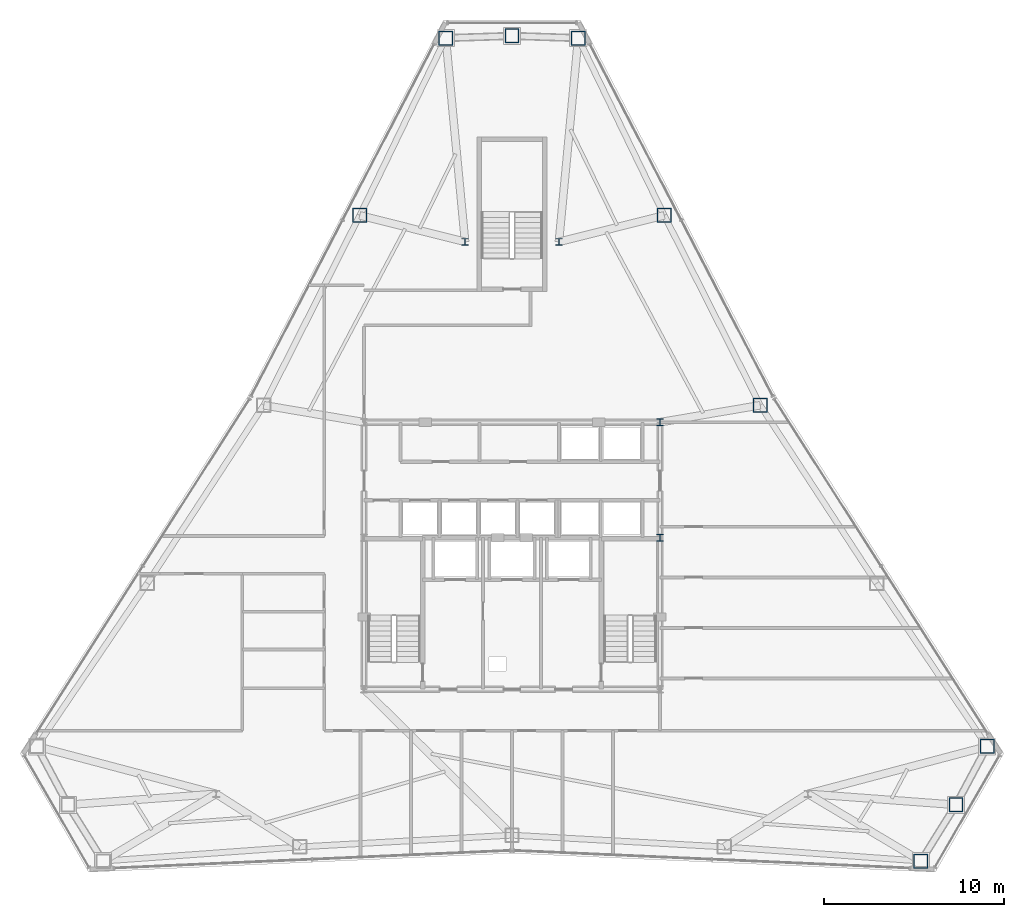
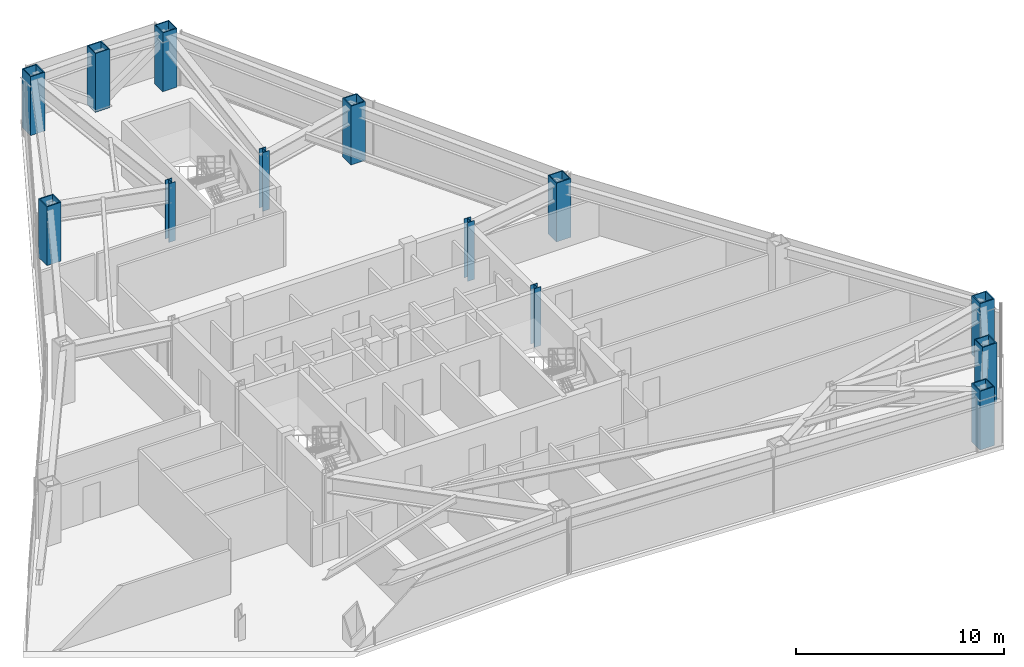
# One storey, part 2 of 13: 13 columns.
"""IFC4 building model written with IfcOpenShell, lengths in metres."""

import ifcopenshell
import ifcopenshell.guid

model = None  # the IFC model being written
_history = None  # IfcOwnerHistory: only IFC2X3 demands one
_inside = {}  # id of a spatial element -> (the spatial element, [elements in it])
_under = {}  # id of a project, library or spatial element -> (it, [spatial elements below it])
_declared = {}  # id of a project -> (the project, [libraries it declares])
_typed = {}  # id of a type object -> (the type object, [elements of that type])
_made_of = {}  # id of a material, layer set ... -> (it, [elements and type objects made of it])


def new_model(schema):
    """Start an empty IFC model of exactly this schema.

    Asked for "IFC4X3", IfcOpenShell would pick the latest addendum, in which some entities
    have other attributes; the version numbers below select the first issue.
    IFC2X3 requires an IfcOwnerHistory on every rooted entity: one is made here for all.
    """
    global model, _history
    if schema == "IFC4X3":
        model = ifcopenshell.file(schema_version=(4, 3, 0, 0))
    else:
        model = ifcopenshell.file(schema=schema)
    _inside.clear()
    _under.clear()
    _declared.clear()
    _typed.clear()
    _made_of.clear()
    _history = None
    if model.schema == "IFC2X3":
        org = make("IfcOrganization", Name="unknown")
        user = make(
            "IfcPersonAndOrganization",
            ThePerson=make("IfcPerson", FamilyName="unknown"),
            TheOrganization=org,
        )
        app = make(
            "IfcApplication",
            ApplicationDeveloper=org,
            Version="unknown",
            ApplicationFullName="unknown",
            ApplicationIdentifier="unknown",
        )
        _history = make(
            "IfcOwnerHistory",
            OwningUser=user,
            OwningApplication=app,
            ChangeAction="ADDED",
            CreationDate=0,
        )
    return model


def make(cls, **values):
    """One entity of the class cls with the attributes given. An attribute that is None is left unset."""
    return model.create_entity(
        cls, **{name: value for name, value in values.items() if value is not None}
    )


def rooted(cls, **values):
    """An entity with a GlobalId (a new one), such as an element, a storey or a relation."""
    return make(cls, GlobalId=ifcopenshell.guid.new(), OwnerHistory=_history, **values)


def si_unit(unit_type, name, prefix=None):
    """IfcSIUnit, for example si_unit("LENGTHUNIT", "METRE", prefix="MILLI")."""
    return make("IfcSIUnit", UnitType=unit_type, Prefix=prefix, Name=name)


def assignment(units):
    """IfcUnitAssignment: the units of a project."""
    return None if units is None else make("IfcUnitAssignment", Units=units)


def point(xyz):
    """IfcCartesianPoint."""
    return None if xyz is None else make("IfcCartesianPoint", Coordinates=xyz)


def direction(xyz):
    """IfcDirection."""
    return None if xyz is None else make("IfcDirection", DirectionRatios=xyz)


def frame(location, z_axis=None, x_axis=None):
    """IfcAxis2Placement3D, a coordinate frame: its origin and axes. An axis left out is left unset."""
    return make(
        "IfcAxis2Placement3D",
        Location=point(location),
        Axis=direction(z_axis),
        RefDirection=direction(x_axis),
    )


def frame_2d(location, x_axis=None):
    """IfcAxis2Placement2D, a coordinate frame in the plane: its origin and x axis."""
    return make(
        "IfcAxis2Placement2D", Location=point(location), RefDirection=direction(x_axis)
    )


def origin():
    """The frame at (0, 0, 0) with its axes left unset."""
    return frame((0.0, 0.0, 0.0))


def origin_2d():
    """The frame at (0, 0) in the plane with its x axis left unset."""
    return frame_2d((0.0, 0.0))


def place(relative_to, where):
    """IfcLocalPlacement: puts the frame where relative to a parent placement (None: the world)."""
    return make(
        "IfcLocalPlacement", PlacementRelTo=relative_to, RelativePlacement=where
    )


def context(
    kind, dimensions, precision=None, world=None, true_north=None, identifier=None
):
    """IfcGeometricRepresentationContext, for example the 3D "Model" context."""
    return make(
        "IfcGeometricRepresentationContext",
        ContextIdentifier=identifier,
        ContextType=kind,
        CoordinateSpaceDimension=dimensions,
        Precision=precision,
        WorldCoordinateSystem=world,
        TrueNorth=true_north,
    )


def subcontext(parent, identifier, kind, view, scale=None):
    """IfcGeometricRepresentationSubContext, for example "Body" below "Model"."""
    return make(
        "IfcGeometricRepresentationSubContext",
        ContextIdentifier=identifier,
        ContextType=kind,
        ParentContext=parent,
        TargetScale=scale,
        TargetView=view,
    )


def project(units=None, contexts=None):
    """IfcProject with its units and contexts."""
    return rooted(
        "IfcProject",
        Name="project",
        RepresentationContexts=contexts,
        UnitsInContext=assignment(units),
    )


def spatial(cls, under=None, at=None, **own):
    """A site, building, storey or space (cls), placed at a placement, below another one or the project."""
    s = rooted(cls, ObjectPlacement=at, **own)
    if under is not None:
        _under.setdefault(under.id(), (under, []))[1].append(s)
    return s


def profile(cls, at=None, kind="AREA", **sizes):
    """A parametric profile (cls). Its sizes go by their IFC names, for example OverallWidth=200.0."""
    return make(cls, ProfileType=kind, Position=at, **sizes)


def hollow_rectangle(**sizes):
    """IfcRectangleHollowProfileDef."""
    return profile("IfcRectangleHollowProfileDef", **sizes)


def i_section(**sizes):
    """IfcIShapeProfileDef."""
    return profile("IfcIShapeProfileDef", **sizes)


def extrude(swept, where, along, depth):
    """IfcExtrudedAreaSolid: the profile swept, set in the frame where, extruded along a direction by depth."""
    return make(
        "IfcExtrudedAreaSolid",
        SweptArea=swept,
        Position=where,
        ExtrudedDirection=direction(along),
        Depth=depth,
    )


def shape(context_of_items, identifier, shape_type, items):
    """IfcShapeRepresentation: the items that make up one representation, for example the "Body"."""
    return make(
        "IfcShapeRepresentation",
        ContextOfItems=context_of_items,
        RepresentationIdentifier=identifier,
        RepresentationType=shape_type,
        Items=items,
    )


def material(Name=None, Category=None):
    """IfcMaterial."""
    return make("IfcMaterial", Name=Name, Category=Category)


def material_profile(
    of_material, cross_section, Name=None, Category=None, Priority=None
):
    """IfcMaterialProfile: a cross section and its material."""
    return make(
        "IfcMaterialProfile",
        Name=Name,
        Material=of_material,
        Profile=cross_section,
        Priority=Priority,
        Category=Category,
    )


def profile_set(profiles, Name=None, composite=None):
    """IfcMaterialProfileSet."""
    return make(
        "IfcMaterialProfileSet",
        Name=Name,
        MaterialProfiles=profiles,
        CompositeProfile=composite,
    )


def made_of(thing, what):
    """Note that an element or type object is made of a material, layer set ...; save() writes the relation."""
    if what is not None:
        _made_of.setdefault(what.id(), (what, []))[1].append(thing)
    return thing


def type_object(cls, material=None, **own):
    """A type object (cls), such as IfcWallType, which elements share."""
    return made_of(rooted(cls, **own), material)


def element(
    cls,
    number,
    at=None,
    inside=None,
    cuts=None,
    type_object=None,
    material=None,
    context=None,
    identifier="Body",
    shape_type=None,
    held_by="IfcProductDefinitionShape",
    body=None,
    shapes=None,
    **own,
):
    """One element of the class cls, such as IfcWall. Its Tag is "e" and its number.

    at: its placement. inside: the storey or other place that contains it. cuts: it is an
    opening in that element (IfcRelVoidsElement). A single representation is given by context,
    identifier, shape_type and body (its items); several are given by shapes. held_by: the class
    of the entity that holds the representations. save() writes the other relations.
    """
    e = rooted(cls, Tag="e%d" % number, ObjectPlacement=at, **own)
    if body is not None:
        shapes = [shape(context, identifier, shape_type, body)]
    if shapes is not None:
        e.Representation = make(held_by, Representations=shapes)
    if inside is not None:
        _inside.setdefault(inside.id(), (inside, []))[1].append(e)
    if cuts is not None:
        rooted(
            "IfcRelVoidsElement", RelatingBuildingElement=cuts, RelatedOpeningElement=e
        )
    if type_object is not None:
        _typed.setdefault(type_object.id(), (type_object, []))[1].append(e)
    return made_of(e, material)


def aggregate(whole, parts):
    """IfcRelAggregates: a whole, such as a stair, and the parts it consists of."""
    return rooted("IfcRelAggregates", RelatingObject=whole, RelatedObjects=parts)


def save(model, path):
    """Write the relations noted so far, then the file.

    IfcRelAggregates (storeys below a building ...), IfcRelContainedInSpatialStructure (elements
    in a storey), IfcRelDefinesByType, IfcRelAssociatesMaterial and IfcRelDeclares: one each for
    every whole, place, type object, material and project.
    """
    for whole, parts in _under.values():
        aggregate(whole, parts)
    for where, things in _inside.values():
        rooted(
            "IfcRelContainedInSpatialStructure",
            RelatedElements=things,
            RelatingStructure=where,
        )
    for kind, things in _typed.values():
        rooted("IfcRelDefinesByType", RelatedObjects=things, RelatingType=kind)
    for what, things in _made_of.values():
        rooted("IfcRelAssociatesMaterial", RelatedObjects=things, RelatingMaterial=what)
    for by, libraries in _declared.values():
        rooted("IfcRelDeclares", RelatingContext=by, RelatedDefinitions=libraries)
    model.write(path)


model = new_model("IFC4")

# Units and contexts
model_context = context("Model", 3, precision=1e-05, world=origin(), true_north=direction((0.0, 1.0)))
body_context = subcontext(model_context, "Body", "Model", "MODEL_VIEW")
ifc_project = project(units=[si_unit("LENGTHUNIT", "METRE"), si_unit("AREAUNIT", "SQUARE_METRE"), si_unit("VOLUMEUNIT", "CUBIC_METRE"), si_unit("PLANEANGLEUNIT", "RADIAN"), si_unit("MASSUNIT", "GRAM", prefix="KILO")], contexts=[model_context])

# Site, building, storey
site_placement = place(None, origin())
site = spatial("IfcSite", under=ifc_project, at=site_placement, CompositionType="ELEMENT")
building_placement = place(site_placement, origin())
building = spatial("IfcBuilding", under=site, at=building_placement, Name="Varakhsha Concourse Tower", CompositionType="ELEMENT")
storey_placement = place(building_placement, frame((0.0, 0.0, 186.14990234375)))
storey = spatial("IfcBuildingStorey", under=building, at=storey_placement, Name="L53", CompositionType="ELEMENT", Elevation=186.14990234375)

# Columns
ifc_material_1 = material(Name="Structural Steel ASTM A992 Grade 50", Category="steel")
ifc_material_profile_1 = material_profile(ifc_material_1, i_section(OverallWidth=0.3740234375, OverallDepth=0.3720703125, WebThickness=0.01611328125, FlangeThickness=0.02587890625, at=origin_2d()), Name="W14X132")
ifc_profile_set_1 = profile_set([ifc_material_profile_1], Name="Structural Steel ASTM A992 Grade 50")
column_type_1 = type_object("IfcColumnType", Name="CL-CORE-W14X132", PredefinedType="COLUMN", material=ifc_profile_set_1)
for number, where, z_axis, x_axis, name in (
    (1, (48.199951171875, 24.800048828125, 0.0), (0.0, 0.0, 1.0), (1.0, 0.0, 0.0), "L53 Core Column CC-ME"),
    (2, (48.199951171875, 31.199951171875, 0.0), (0.0, 0.0, 1.0), (1.0, 0.0, 0.0), "L53 Core Column CC-NE"),
    (3, (37.39990234375, 41.199951171875, 0.0), (0.0, 0.0, 1.0), (1.0, 0.0, 0.0), "L53 Core Column NS-W"),
    (4, (42.60009765625, 41.199951171875, 0.0), (0.0, 0.0, 1.0), (1.0, 0.0, 0.0), "L53 Core Column NS-E"),
):
    element("IfcColumn", number, at=place(storey_placement, frame(where, z_axis=z_axis, x_axis=x_axis)), inside=storey, type_object=column_type_1, Name=name, PredefinedType="COLUMN", context=body_context, shape_type="SweptSolid", body=[
        extrude(i_section(OverallWidth=0.3740234375, OverallDepth=0.3720703125, WebThickness=0.01611328125, FlangeThickness=0.02587890625, at=origin_2d()), origin(), (0.0, 0.0, 1.0), 3.4501953125),
    ])
ifc_material_2 = material(Name="Structural Steel ASTM A572 Grade 50", Category="steel")
ifc_material_profile_2 = material_profile(ifc_material_2, hollow_rectangle(XDim=0.800048828125, YDim=0.800048828125, WallThickness=0.054931640625, at=origin_2d()), Name="BOX 800x800x55")
ifc_profile_set_2 = profile_set([ifc_material_profile_2], Name="Structural Steel ASTM A572 Grade 50")
column_type_2 = type_object("IfcColumnType", Name="CL-TUBE-800", PredefinedType="COLUMN", material=ifc_profile_set_2)
for number, where, z_axis, x_axis, name in (
    (5, (43.669921875, 52.49462890625, 0.0), (0.0, 0.0, 1.0), (1.0, 0.0, 0.0), "L53 Framed-Tube Column TC01"),
    (6, (40.0, 52.6181640625, 0.0), (0.0, 0.0, 1.0), (1.0, 0.0, 0.0), "L53 Framed-Tube Column TC02"),
    (7, (36.330078125, 52.49462890625, 0.0), (0.0, 0.0, 1.0), (1.0, 0.0, 0.0), "L53 Framed-Tube Column TC03"),
    (8, (31.56298828125, 42.668212890625, 0.0), (0.0, 0.0, 1.0), (1.0, 0.0, 0.0), "L53 Framed-Tube Column TC04"),
    (9, (62.6689453125, 6.87451171875, 0.0), (0.0, 0.0, 1.0), (1.0, 0.0, 0.0), "L53 Framed-Tube Column TC13"),
    (10, (64.61083984375, 9.990966796875, 0.0), (0.0, 0.0, 1.0), (1.0, 0.0, 0.0), "L53 Framed-Tube Column TC14"),
    (11, (66.3388671875, 13.23095703125, 0.0), (0.0, 0.0, 1.0), (1.0, 0.0, 0.0), "L53 Framed-Tube Column TC15"),
    (12, (53.759033203125, 32.143798828125, 0.0), (0.0, 0.0, 1.0), (1.0, 0.0, 0.0), "L53 Framed-Tube Column TC17"),
    (13, (48.43701171875, 42.668212890625, 0.0), (0.0, 0.0, 1.0), (1.0, 0.0, 0.0), "L53 Framed-Tube Column TC18"),
):
    element("IfcColumn", number, at=place(storey_placement, frame(where, z_axis=z_axis, x_axis=x_axis)), inside=storey, type_object=column_type_2, Name=name, PredefinedType="COLUMN", context=body_context, shape_type="SweptSolid", body=[
        extrude(hollow_rectangle(XDim=0.800048828125, YDim=0.800048828125, WallThickness=0.054931640625, at=origin_2d()), origin(), (0.0, 0.0, 1.0), 3.4501953125),
    ])

save(model, "model.ifc")
